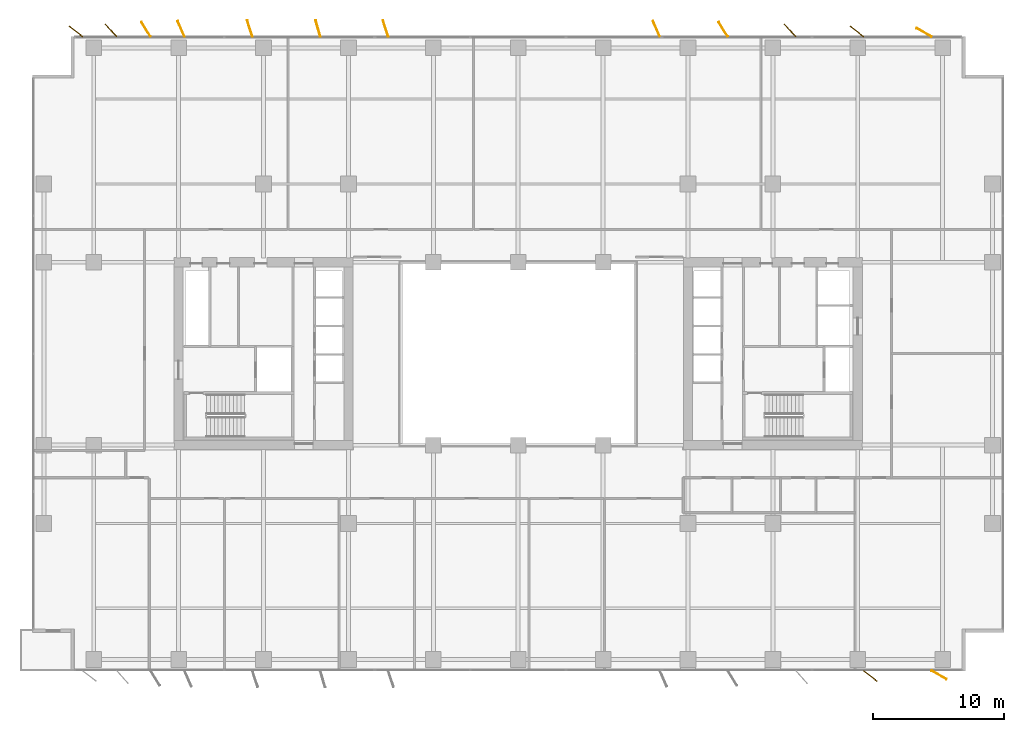
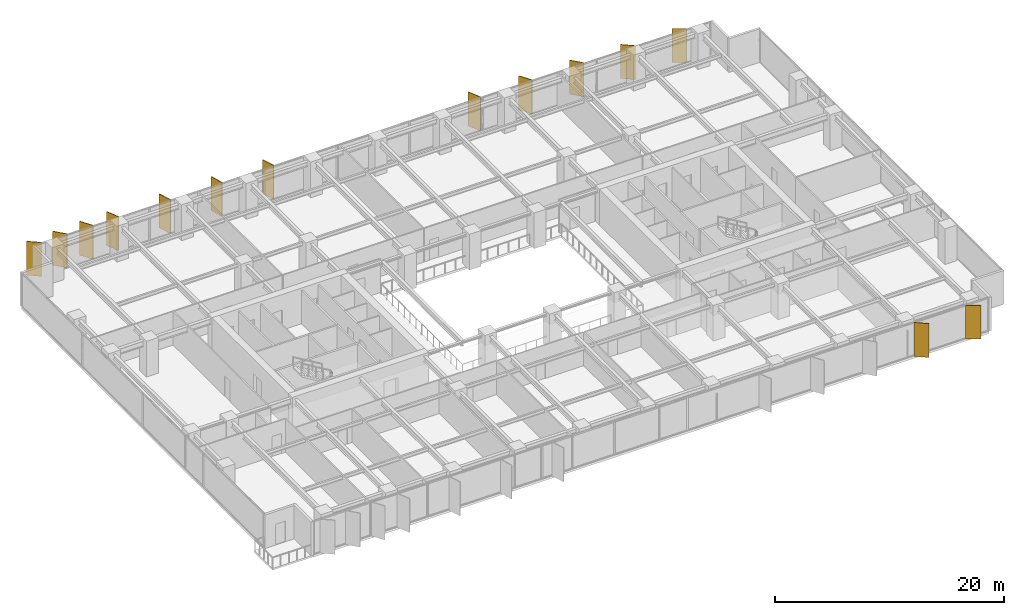
# One storey, part 20 of 20: 14 shading devices.
"""IFC4 building model written with IfcOpenShell, lengths in metres."""

from ifc_helpers import new_model, si_unit, direction, frame, origin, origin_2d, place, context, subcontext, project, spatial, rectangle, extrude, material, layer, layer_set, type_object, element, save


model = new_model("IFC4")

# Units and contexts
model_context = context("Model", 3, precision=1e-05, world=origin(), true_north=direction((0.0, 1.0)))
body_context = subcontext(model_context, "Body", "Model", "MODEL_VIEW")
ifc_project = project(units=[si_unit("LENGTHUNIT", "METRE"), si_unit("AREAUNIT", "SQUARE_METRE"), si_unit("VOLUMEUNIT", "CUBIC_METRE"), si_unit("PLANEANGLEUNIT", "RADIAN"), si_unit("MASSUNIT", "GRAM", prefix="KILO")], contexts=[model_context])

# Site, building, storey
site_placement = place(None, origin())
site = spatial("IfcSite", under=ifc_project, at=site_placement, CompositionType="ELEMENT")
building_placement = place(site_placement, origin())
building = spatial("IfcBuilding", under=site, at=building_placement, Name="Putna Gate Headquarters", CompositionType="ELEMENT")
storey_placement = place(building_placement, frame((0.0, 0.0, 97.39990234375)))
storey = spatial("IfcBuildingStorey", under=building, at=storey_placement, Name="L23", CompositionType="ELEMENT", Elevation=97.39990234375)

# Shading devices
ifc_material = material(Name="Anodised architectural bronze aluminium fin", Category="aluminium")
ifc_layer = layer(ifc_material, 0.06494140625)
ifc_layer_set = layer_set([ifc_layer], Name="Anodised architectural bronze aluminium fin")
shading_device_type = type_object("IfcShadingDeviceType", Name="SHADE-BRONZE-FIN-1320", PredefinedType="USERDEFINED", material=ifc_layer_set)
for number, where, z_axis, x_axis, name in (
    (1, (5.13037109375, 50.681884765625, -0.019775390625), (0.0, 0.0, 1.0), (-0.787473187632, 0.616348909921, 0.0), "L23 Bronze Vertical Shading Fin N1"),
    (2, (7.808349609375, 50.765380859375, -0.019775390625), (0.0, 0.0, 1.0), (-0.669130606359, 0.743144825477, 0.0), "L23 Bronze Vertical Shading Fin N2"),
    (3, (10.499755859375, 50.83447265625, -0.019775390625), (0.0, 0.0, 1.0), (-0.530659123936, 0.847585331506, 0.0), "L23 Bronze Vertical Shading Fin N3"),
    (4, (13.185546875, 50.879638671875, -0.019775390625), (0.0, 0.0, 1.0), (-0.400668879095, 0.916222925562, 0.0), "L23 Bronze Vertical Shading Fin N4"),
    (5, (18.4462890625, 50.90283203125, -0.019775390625), (0.0, 0.0, 1.0), (-0.308684994204, 0.951164325631, 0.0), "L23 Bronze Vertical Shading Fin N5"),
    (6, (23.668212890625, 50.909423828125, -0.019775390625), (0.0, 0.0, 1.0), (-0.275637355817, 0.961261695938, 0.0), "L23 Bronze Vertical Shading Fin N6"),
    (7, (28.84619140625, 50.90283203125, -0.019775390625), (0.0, 0.0, 1.0), (-0.308684994204, 0.951164325631, 0.0), "L23 Bronze Vertical Shading Fin N7"),
    (8, (49.585693359375, 50.879638671875, -0.019775390625), (0.0, 0.0, 1.0), (-0.400668879095, 0.916222925562, 0.0), "L23 Bronze Vertical Shading Fin N8"),
    (9, (54.69970703125, 50.83447265625, -0.019775390625), (0.0, 0.0, 1.0), (-0.530659123936, 0.847585331506, 0.0), "L23 Bronze Vertical Shading Fin N9"),
    (10, (59.808349609375, 50.765380859375, -0.019775390625), (0.0, 0.0, 1.0), (-0.669130606359, 0.743144825477, 0.0), "L23 Bronze Vertical Shading Fin N10"),
    (11, (65.9697265625, 1.318115234375, -0.019775390625), (0.0, 0.0, 1.0), (0.787473187632, -0.616348909921, 0.0), "L23 Bronze Vertical Shading Fin S11"),
    (12, (64.930419921875, 50.681884765625, -0.019775390625), (0.0, 0.0, 1.0), (-0.787473187632, 0.616348909921, 0.0), "L23 Bronze Vertical Shading Fin N11"),
    (13, (71.223876953125, 1.398681640625, -0.019775390625), (0.0, 0.0, 1.0), (0.869322458298, -0.494245347472, 0.0), "L23 Bronze Vertical Shading Fin S12"),
    (14, (70.076171875, 50.601318359375, -0.019775390625), (0.0, 0.0, 1.0), (-0.869322458298, 0.494245347472, 0.0), "L23 Bronze Vertical Shading Fin N12"),
):
    element("IfcShadingDevice", number, at=place(storey_placement, frame(where, z_axis=z_axis, x_axis=x_axis)), inside=storey, type_object=shading_device_type, Name=name, ObjectType="FIN", PredefinedType="USERDEFINED", context=body_context, shape_type="SweptSolid", body=[
        extrude(rectangle(XDim=1.320068359375, YDim=0.06494140625, at=origin_2d()), origin(), (0.0, 0.0, 1.0), 3.60498046875),
    ])

save(model, "model.ifc")
